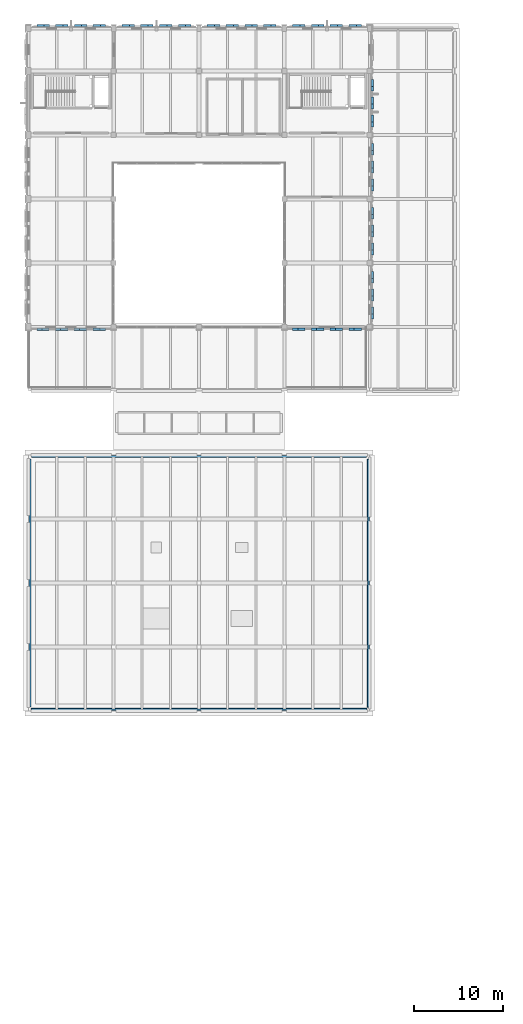
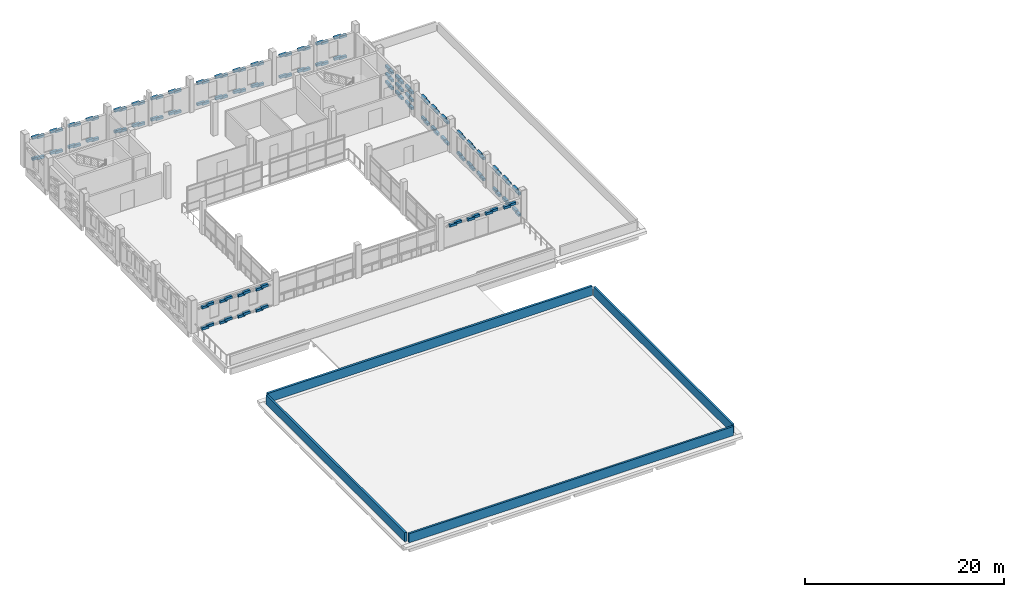
# One storey, part 34 of 50: 142 plates, 4 walls.
"""IFC4 building model written with IfcOpenShell, lengths in metres."""

import ifcopenshell
import ifcopenshell.guid

model = None  # the IFC model being written
_history = None  # IfcOwnerHistory: only IFC2X3 demands one
_inside = {}  # id of a spatial element -> (the spatial element, [elements in it])
_under = {}  # id of a project, library or spatial element -> (it, [spatial elements below it])
_declared = {}  # id of a project -> (the project, [libraries it declares])
_typed = {}  # id of a type object -> (the type object, [elements of that type])
_made_of = {}  # id of a material, layer set ... -> (it, [elements and type objects made of it])


def new_model(schema):
    """Start an empty IFC model of exactly this schema.

    Asked for "IFC4X3", IfcOpenShell would pick the latest addendum, in which some entities
    have other attributes; the version numbers below select the first issue.
    IFC2X3 requires an IfcOwnerHistory on every rooted entity: one is made here for all.
    """
    global model, _history
    if schema == "IFC4X3":
        model = ifcopenshell.file(schema_version=(4, 3, 0, 0))
    else:
        model = ifcopenshell.file(schema=schema)
    _inside.clear()
    _under.clear()
    _declared.clear()
    _typed.clear()
    _made_of.clear()
    _history = None
    if model.schema == "IFC2X3":
        org = make("IfcOrganization", Name="unknown")
        user = make(
            "IfcPersonAndOrganization",
            ThePerson=make("IfcPerson", FamilyName="unknown"),
            TheOrganization=org,
        )
        app = make(
            "IfcApplication",
            ApplicationDeveloper=org,
            Version="unknown",
            ApplicationFullName="unknown",
            ApplicationIdentifier="unknown",
        )
        _history = make(
            "IfcOwnerHistory",
            OwningUser=user,
            OwningApplication=app,
            ChangeAction="ADDED",
            CreationDate=0,
        )
    return model


def make(cls, **values):
    """One entity of the class cls with the attributes given. An attribute that is None is left unset."""
    return model.create_entity(
        cls, **{name: value for name, value in values.items() if value is not None}
    )


def rooted(cls, **values):
    """An entity with a GlobalId (a new one), such as an element, a storey or a relation."""
    return make(cls, GlobalId=ifcopenshell.guid.new(), OwnerHistory=_history, **values)


def si_unit(unit_type, name, prefix=None):
    """IfcSIUnit, for example si_unit("LENGTHUNIT", "METRE", prefix="MILLI")."""
    return make("IfcSIUnit", UnitType=unit_type, Prefix=prefix, Name=name)


def assignment(units):
    """IfcUnitAssignment: the units of a project."""
    return None if units is None else make("IfcUnitAssignment", Units=units)


def point(xyz):
    """IfcCartesianPoint."""
    return None if xyz is None else make("IfcCartesianPoint", Coordinates=xyz)


def direction(xyz):
    """IfcDirection."""
    return None if xyz is None else make("IfcDirection", DirectionRatios=xyz)


def frame(location, z_axis=None, x_axis=None):
    """IfcAxis2Placement3D, a coordinate frame: its origin and axes. An axis left out is left unset."""
    return make(
        "IfcAxis2Placement3D",
        Location=point(location),
        Axis=direction(z_axis),
        RefDirection=direction(x_axis),
    )


def frame_2d(location, x_axis=None):
    """IfcAxis2Placement2D, a coordinate frame in the plane: its origin and x axis."""
    return make(
        "IfcAxis2Placement2D", Location=point(location), RefDirection=direction(x_axis)
    )


def origin():
    """The frame at (0, 0, 0) with its axes left unset."""
    return frame((0.0, 0.0, 0.0))


def origin_2d():
    """The frame at (0, 0) in the plane with its x axis left unset."""
    return frame_2d((0.0, 0.0))


def place(relative_to, where):
    """IfcLocalPlacement: puts the frame where relative to a parent placement (None: the world)."""
    return make(
        "IfcLocalPlacement", PlacementRelTo=relative_to, RelativePlacement=where
    )


def context(
    kind, dimensions, precision=None, world=None, true_north=None, identifier=None
):
    """IfcGeometricRepresentationContext, for example the 3D "Model" context."""
    return make(
        "IfcGeometricRepresentationContext",
        ContextIdentifier=identifier,
        ContextType=kind,
        CoordinateSpaceDimension=dimensions,
        Precision=precision,
        WorldCoordinateSystem=world,
        TrueNorth=true_north,
    )


def subcontext(parent, identifier, kind, view, scale=None):
    """IfcGeometricRepresentationSubContext, for example "Body" below "Model"."""
    return make(
        "IfcGeometricRepresentationSubContext",
        ContextIdentifier=identifier,
        ContextType=kind,
        ParentContext=parent,
        TargetScale=scale,
        TargetView=view,
    )


def project(units=None, contexts=None):
    """IfcProject with its units and contexts."""
    return rooted(
        "IfcProject",
        Name="project",
        RepresentationContexts=contexts,
        UnitsInContext=assignment(units),
    )


def spatial(cls, under=None, at=None, **own):
    """A site, building, storey or space (cls), placed at a placement, below another one or the project."""
    s = rooted(cls, ObjectPlacement=at, **own)
    if under is not None:
        _under.setdefault(under.id(), (under, []))[1].append(s)
    return s


def profile(cls, at=None, kind="AREA", **sizes):
    """A parametric profile (cls). Its sizes go by their IFC names, for example OverallWidth=200.0."""
    return make(cls, ProfileType=kind, Position=at, **sizes)


def rectangle(**sizes):
    """IfcRectangleProfileDef."""
    return profile("IfcRectangleProfileDef", **sizes)


def extrude(swept, where, along, depth):
    """IfcExtrudedAreaSolid: the profile swept, set in the frame where, extruded along a direction by depth."""
    return make(
        "IfcExtrudedAreaSolid",
        SweptArea=swept,
        Position=where,
        ExtrudedDirection=direction(along),
        Depth=depth,
    )


def shape(context_of_items, identifier, shape_type, items):
    """IfcShapeRepresentation: the items that make up one representation, for example the "Body"."""
    return make(
        "IfcShapeRepresentation",
        ContextOfItems=context_of_items,
        RepresentationIdentifier=identifier,
        RepresentationType=shape_type,
        Items=items,
    )


def material(Name=None, Category=None):
    """IfcMaterial."""
    return make("IfcMaterial", Name=Name, Category=Category)


def layer(
    of_material, thickness, ventilated=None, Name=None, Category=None, Priority=None
):
    """IfcMaterialLayer: one layer of a wall or slab, of a material (None: an air gap)."""
    return make(
        "IfcMaterialLayer",
        Material=of_material,
        LayerThickness=thickness,
        IsVentilated=ventilated,
        Name=Name,
        Category=Category,
        Priority=Priority,
    )


def layer_set(layers, Name=None):
    """IfcMaterialLayerSet."""
    return make("IfcMaterialLayerSet", MaterialLayers=layers, LayerSetName=Name)


def made_of(thing, what):
    """Note that an element or type object is made of a material, layer set ...; save() writes the relation."""
    if what is not None:
        _made_of.setdefault(what.id(), (what, []))[1].append(thing)
    return thing


def type_object(cls, material=None, **own):
    """A type object (cls), such as IfcWallType, which elements share."""
    return made_of(rooted(cls, **own), material)


def element(
    cls,
    number,
    at=None,
    inside=None,
    cuts=None,
    type_object=None,
    material=None,
    context=None,
    identifier="Body",
    shape_type=None,
    held_by="IfcProductDefinitionShape",
    body=None,
    shapes=None,
    **own,
):
    """One element of the class cls, such as IfcWall. Its Tag is "e" and its number.

    at: its placement. inside: the storey or other place that contains it. cuts: it is an
    opening in that element (IfcRelVoidsElement). A single representation is given by context,
    identifier, shape_type and body (its items); several are given by shapes. held_by: the class
    of the entity that holds the representations. save() writes the other relations.
    """
    e = rooted(cls, Tag="e%d" % number, ObjectPlacement=at, **own)
    if body is not None:
        shapes = [shape(context, identifier, shape_type, body)]
    if shapes is not None:
        e.Representation = make(held_by, Representations=shapes)
    if inside is not None:
        _inside.setdefault(inside.id(), (inside, []))[1].append(e)
    if cuts is not None:
        rooted(
            "IfcRelVoidsElement", RelatingBuildingElement=cuts, RelatedOpeningElement=e
        )
    if type_object is not None:
        _typed.setdefault(type_object.id(), (type_object, []))[1].append(e)
    return made_of(e, material)


def aggregate(whole, parts):
    """IfcRelAggregates: a whole, such as a stair, and the parts it consists of."""
    return rooted("IfcRelAggregates", RelatingObject=whole, RelatedObjects=parts)


def save(model, path):
    """Write the relations noted so far, then the file.

    IfcRelAggregates (storeys below a building ...), IfcRelContainedInSpatialStructure (elements
    in a storey), IfcRelDefinesByType, IfcRelAssociatesMaterial and IfcRelDeclares: one each for
    every whole, place, type object, material and project.
    """
    for whole, parts in _under.values():
        aggregate(whole, parts)
    for where, things in _inside.values():
        rooted(
            "IfcRelContainedInSpatialStructure",
            RelatedElements=things,
            RelatingStructure=where,
        )
    for kind, things in _typed.values():
        rooted("IfcRelDefinesByType", RelatedObjects=things, RelatingType=kind)
    for what, things in _made_of.values():
        rooted("IfcRelAssociatesMaterial", RelatedObjects=things, RelatingMaterial=what)
    for by, libraries in _declared.values():
        rooted("IfcRelDeclares", RelatingContext=by, RelatedDefinitions=libraries)
    model.write(path)


model = new_model("IFC4")

# Units and contexts
model_context = context("Model", 3, precision=1e-05, world=origin(), true_north=direction((0.0, 1.0)))
body_context = subcontext(model_context, "Body", "Model", "MODEL_VIEW")
ifc_project = project(units=[si_unit("LENGTHUNIT", "METRE"), si_unit("AREAUNIT", "SQUARE_METRE"), si_unit("VOLUMEUNIT", "CUBIC_METRE"), si_unit("PLANEANGLEUNIT", "RADIAN"), si_unit("MASSUNIT", "GRAM", prefix="KILO")], contexts=[model_context])

# Site, building, storey
site_placement = place(None, origin())
site = spatial("IfcSite", under=ifc_project, at=site_placement, CompositionType="ELEMENT")
building_placement = place(site_placement, origin())
building = spatial("IfcBuilding", under=site, at=building_placement, Name="Asteropetra Specialist Clinic", CompositionType="ELEMENT")
storey_placement = place(building_placement, frame((0.0, 0.0, 16.659912109375)))
storey = spatial("IfcBuildingStorey", under=building, at=storey_placement, Name="L04", CompositionType="ELEMENT", Elevation=16.659912109375)

# Plates
ifc_material_1 = material(Name="Aluminium 6063-T6", Category="aluminium")
ifc_layer_1 = layer(ifc_material_1, 0.139892578125)
ifc_layer_set_1 = layer_set([ifc_layer_1], Name="Aluminium 6063-T6")
plate_type = type_object("IfcPlateType", Name="PLT-CHV-TILE", PredefinedType="SHEET", material=ifc_layer_set_1)
for number, where, z_axis, x_axis, name in (
    (1, (1.357421875, 76.52490234375, -0.00048828125), (0.0, 0.0, 1.0), (1.0, 0.0, 0.0), "Chevron Ceramic Panel CPT-1167"),
    (2, (1.93505859375, 76.52490234375, 0.12548828125), (0.0, 0.0, 1.0), (1.0, 0.0, 0.0), "Chevron Ceramic Panel CPT-1168"),
    (3, (1.357421875, 76.52490234375, 2.58935546875), (0.0, 0.0, 1.0), (1.0, 0.0, 0.0), "Chevron Ceramic Panel CPT-1169"),
    (4, (1.93505859375, 76.52490234375, 2.71533203125), (0.0, 0.0, 1.0), (1.0, 0.0, 0.0), "Chevron Ceramic Panel CPT-1170"),
    (5, (3.4599609375, 76.52490234375, -0.00048828125), (0.0, 0.0, 1.0), (1.0, 0.0, 0.0), "Chevron Ceramic Panel CPT-1171"),
    (6, (4.03759765625, 76.52490234375, 0.12548828125), (0.0, 0.0, 1.0), (1.0, 0.0, 0.0), "Chevron Ceramic Panel CPT-1172"),
    (7, (3.4599609375, 76.52490234375, 2.58935546875), (0.0, 0.0, 1.0), (1.0, 0.0, 0.0), "Chevron Ceramic Panel CPT-1173"),
    (8, (4.03759765625, 76.52490234375, 2.71533203125), (0.0, 0.0, 1.0), (1.0, 0.0, 0.0), "Chevron Ceramic Panel CPT-1174"),
    (9, (5.5625, 76.52490234375, -0.00048828125), (0.0, 0.0, 1.0), (1.0, 0.0, 0.0), "Chevron Ceramic Panel CPT-1175"),
    (10, (6.139892578125, 76.52490234375, 0.12548828125), (0.0, 0.0, 1.0), (1.0, 0.0, 0.0), "Chevron Ceramic Panel CPT-1176"),
    (11, (5.5625, 76.52490234375, 2.58935546875), (0.0, 0.0, 1.0), (1.0, 0.0, 0.0), "Chevron Ceramic Panel CPT-1177"),
    (12, (6.139892578125, 76.52490234375, 2.71533203125), (0.0, 0.0, 1.0), (1.0, 0.0, 0.0), "Chevron Ceramic Panel CPT-1178"),
    (13, (7.6650390625, 76.52490234375, -0.00048828125), (0.0, 0.0, 1.0), (1.0, 0.0, 0.0), "Chevron Ceramic Panel CPT-1179"),
    (14, (8.242431640625, 76.52490234375, 0.12548828125), (0.0, 0.0, 1.0), (1.0, 0.0, 0.0), "Chevron Ceramic Panel CPT-1180"),
    (15, (7.6650390625, 76.52490234375, 2.58935546875), (0.0, 0.0, 1.0), (1.0, 0.0, 0.0), "Chevron Ceramic Panel CPT-1181"),
    (16, (8.242431640625, 76.52490234375, 2.71533203125), (0.0, 0.0, 1.0), (1.0, 0.0, 0.0), "Chevron Ceramic Panel CPT-1182"),
):
    element("IfcPlate", number, at=place(storey_placement, frame(where, z_axis=z_axis, x_axis=x_axis)), inside=storey, type_object=plate_type, Name=name, PredefinedType="SHEET", context=body_context, shape_type="SweptSolid", body=[
        extrude(rectangle(XDim=0.824951171875, YDim=0.280029296875, at=origin_2d()), origin(), (0.0, 0.0, 1.0), 0.300048828125),
    ])
for number, where, z_axis, x_axis, name in (
    (17, (8.26513671875, 110.675048828125, 0.0), (0.0, 0.0, 1.0), (1.0, 0.0, 0.0), "Chevron Ceramic Panel CPT-1183"),
    (18, (7.68603515625, 110.675048828125, 0.1259765625), (0.0, 0.0, 1.0), (1.0, 0.0, 0.0), "Chevron Ceramic Panel CPT-1184"),
    (19, (8.26513671875, 110.675048828125, 2.58984375), (0.0, 0.0, 1.0), (1.0, 0.0, 0.0), "Chevron Ceramic Panel CPT-1185"),
    (20, (7.68603515625, 110.675048828125, 2.7158203125), (0.0, 0.0, 1.0), (1.0, 0.0, 0.0), "Chevron Ceramic Panel CPT-1186"),
):
    element("IfcPlate", number, at=place(storey_placement, frame(where, z_axis=z_axis, x_axis=x_axis)), inside=storey, type_object=plate_type, Name=name, PredefinedType="SHEET", context=body_context, shape_type="SweptSolid", body=[
        extrude(rectangle(XDim=0.826904296875, YDim=0.280029296875, at=origin_2d()), origin(), (0.0, 0.0, 1.0), 0.300048828125),
    ])
for number, where, z_axis, x_axis, name in (
    (21, (6.156494140625, 110.675048828125, 0.0), (0.0, 0.0, 1.0), (1.0, 0.0, 0.0), "Chevron Ceramic Panel CPT-1187"),
    (22, (5.577392578125, 110.675048828125, 0.1259765625), (0.0, 0.0, 1.0), (1.0, 0.0, 0.0), "Chevron Ceramic Panel CPT-1188"),
    (23, (6.156494140625, 110.675048828125, 2.58984375), (0.0, 0.0, 1.0), (1.0, 0.0, 0.0), "Chevron Ceramic Panel CPT-1189"),
    (24, (5.577392578125, 110.675048828125, 2.7158203125), (0.0, 0.0, 1.0), (1.0, 0.0, 0.0), "Chevron Ceramic Panel CPT-1190"),
    (25, (4.0478515625, 110.675048828125, 0.0), (0.0, 0.0, 1.0), (1.0, 0.0, 0.0), "Chevron Ceramic Panel CPT-1191"),
    (26, (3.468505859375, 110.675048828125, 0.1259765625), (0.0, 0.0, 1.0), (1.0, 0.0, 0.0), "Chevron Ceramic Panel CPT-1192"),
    (27, (4.0478515625, 110.675048828125, 2.58984375), (0.0, 0.0, 1.0), (1.0, 0.0, 0.0), "Chevron Ceramic Panel CPT-1193"),
    (28, (3.468505859375, 110.675048828125, 2.7158203125), (0.0, 0.0, 1.0), (1.0, 0.0, 0.0), "Chevron Ceramic Panel CPT-1194"),
    (29, (1.93896484375, 110.675048828125, 0.0), (0.0, 0.0, 1.0), (1.0, 0.0, 0.0), "Chevron Ceramic Panel CPT-1195"),
    (30, (1.35986328125, 110.675048828125, 0.1259765625), (0.0, 0.0, 1.0), (1.0, 0.0, 0.0), "Chevron Ceramic Panel CPT-1196"),
    (31, (1.93896484375, 110.675048828125, 2.58984375), (0.0, 0.0, 1.0), (1.0, 0.0, 0.0), "Chevron Ceramic Panel CPT-1197"),
    (32, (1.35986328125, 110.675048828125, 2.7158203125), (0.0, 0.0, 1.0), (1.0, 0.0, 0.0), "Chevron Ceramic Panel CPT-1198"),
):
    element("IfcPlate", number, at=place(storey_placement, frame(where, z_axis=z_axis, x_axis=x_axis)), inside=storey, type_object=plate_type, Name=name, PredefinedType="SHEET", context=body_context, shape_type="SweptSolid", body=[
        extrude(rectangle(XDim=0.827880859375, YDim=0.280029296875, at=origin_2d()), origin(), (0.0, 0.0, 1.0), 0.300048828125),
    ])
for number, where, z_axis, x_axis, name in (
    (33, (17.863037109375, 110.675048828125, 0.0), (0.0, 0.0, 1.0), (1.0, 0.0, 0.0), "Chevron Ceramic Panel CPT-1199"),
    (34, (17.281982421875, 110.675048828125, 0.126953125), (0.0, 0.0, 1.0), (1.0, 0.0, 0.0), "Chevron Ceramic Panel CPT-1200"),
    (35, (17.863037109375, 110.675048828125, 2.58984375), (0.0, 0.0, 1.0), (1.0, 0.0, 0.0), "Chevron Ceramic Panel CPT-1201"),
    (36, (17.281982421875, 110.675048828125, 2.716796875), (0.0, 0.0, 1.0), (1.0, 0.0, 0.0), "Chevron Ceramic Panel CPT-1202"),
    (37, (15.748046875, 110.675048828125, 0.0), (0.0, 0.0, 1.0), (1.0, 0.0, 0.0), "Chevron Ceramic Panel CPT-1203"),
    (38, (15.1669921875, 110.675048828125, 0.126953125), (0.0, 0.0, 1.0), (1.0, 0.0, 0.0), "Chevron Ceramic Panel CPT-1204"),
    (39, (15.748046875, 110.675048828125, 2.58984375), (0.0, 0.0, 1.0), (1.0, 0.0, 0.0), "Chevron Ceramic Panel CPT-1205"),
    (40, (15.1669921875, 110.675048828125, 2.716796875), (0.0, 0.0, 1.0), (1.0, 0.0, 0.0), "Chevron Ceramic Panel CPT-1206"),
    (41, (13.633056640625, 110.675048828125, 0.0), (0.0, 0.0, 1.0), (1.0, 0.0, 0.0), "Chevron Ceramic Panel CPT-1207"),
    (42, (13.052001953125, 110.675048828125, 0.126953125), (0.0, 0.0, 1.0), (1.0, 0.0, 0.0), "Chevron Ceramic Panel CPT-1208"),
    (43, (13.633056640625, 110.675048828125, 2.58984375), (0.0, 0.0, 1.0), (1.0, 0.0, 0.0), "Chevron Ceramic Panel CPT-1209"),
    (44, (13.052001953125, 110.675048828125, 2.716796875), (0.0, 0.0, 1.0), (1.0, 0.0, 0.0), "Chevron Ceramic Panel CPT-1210"),
    (45, (11.51806640625, 110.675048828125, 0.0), (0.0, 0.0, 1.0), (1.0, 0.0, 0.0), "Chevron Ceramic Panel CPT-1211"),
    (46, (10.93701171875, 110.675048828125, 0.126953125), (0.0, 0.0, 1.0), (1.0, 0.0, 0.0), "Chevron Ceramic Panel CPT-1212"),
    (47, (11.51806640625, 110.675048828125, 2.58984375), (0.0, 0.0, 1.0), (1.0, 0.0, 0.0), "Chevron Ceramic Panel CPT-1213"),
    (48, (10.93701171875, 110.675048828125, 2.716796875), (0.0, 0.0, 1.0), (1.0, 0.0, 0.0), "Chevron Ceramic Panel CPT-1214"),
    (49, (27.462890625, 110.675048828125, 0.0), (0.0, 0.0, 1.0), (1.0, 0.0, 0.0), "Chevron Ceramic Panel CPT-1215"),
    (50, (26.882080078125, 110.675048828125, 0.126953125), (0.0, 0.0, 1.0), (1.0, 0.0, 0.0), "Chevron Ceramic Panel CPT-1216"),
    (51, (27.462890625, 110.675048828125, 2.58984375), (0.0, 0.0, 1.0), (1.0, 0.0, 0.0), "Chevron Ceramic Panel CPT-1217"),
    (52, (26.882080078125, 110.675048828125, 2.716796875), (0.0, 0.0, 1.0), (1.0, 0.0, 0.0), "Chevron Ceramic Panel CPT-1218"),
    (53, (25.347900390625, 110.675048828125, 0.0), (0.0, 0.0, 1.0), (1.0, 0.0, 0.0), "Chevron Ceramic Panel CPT-1219"),
    (54, (24.76708984375, 110.675048828125, 0.126953125), (0.0, 0.0, 1.0), (1.0, 0.0, 0.0), "Chevron Ceramic Panel CPT-1220"),
    (55, (25.347900390625, 110.675048828125, 2.58984375), (0.0, 0.0, 1.0), (1.0, 0.0, 0.0), "Chevron Ceramic Panel CPT-1221"),
    (56, (24.76708984375, 110.675048828125, 2.716796875), (0.0, 0.0, 1.0), (1.0, 0.0, 0.0), "Chevron Ceramic Panel CPT-1222"),
    (57, (23.23291015625, 110.675048828125, 0.0), (0.0, 0.0, 1.0), (1.0, 0.0, 0.0), "Chevron Ceramic Panel CPT-1223"),
    (58, (22.652099609375, 110.675048828125, 0.126953125), (0.0, 0.0, 1.0), (1.0, 0.0, 0.0), "Chevron Ceramic Panel CPT-1224"),
    (59, (23.23291015625, 110.675048828125, 2.58984375), (0.0, 0.0, 1.0), (1.0, 0.0, 0.0), "Chevron Ceramic Panel CPT-1225"),
    (60, (22.652099609375, 110.675048828125, 2.716796875), (0.0, 0.0, 1.0), (1.0, 0.0, 0.0), "Chevron Ceramic Panel CPT-1226"),
    (61, (21.117919921875, 110.675048828125, 0.0), (0.0, 0.0, 1.0), (1.0, 0.0, 0.0), "Chevron Ceramic Panel CPT-1227"),
    (62, (20.537109375, 110.675048828125, 0.126953125), (0.0, 0.0, 1.0), (1.0, 0.0, 0.0), "Chevron Ceramic Panel CPT-1228"),
    (63, (21.117919921875, 110.675048828125, 2.58984375), (0.0, 0.0, 1.0), (1.0, 0.0, 0.0), "Chevron Ceramic Panel CPT-1229"),
    (64, (20.537109375, 110.675048828125, 2.716796875), (0.0, 0.0, 1.0), (1.0, 0.0, 0.0), "Chevron Ceramic Panel CPT-1230"),
):
    element("IfcPlate", number, at=place(storey_placement, frame(where, z_axis=z_axis, x_axis=x_axis)), inside=storey, type_object=plate_type, Name=name, PredefinedType="SHEET", context=body_context, shape_type="SweptSolid", body=[
        extrude(rectangle(XDim=0.830078125, YDim=0.280029296875, at=origin_2d()), origin(), (0.0, 0.0, 1.0), 0.300048828125),
    ])
for number, where, z_axis, x_axis, name in (
    (65, (30.157470703125, 76.52490234375, 2.5693359375), (0.0, 0.0, 1.0), (1.0, 0.0, 0.0), "Chevron Ceramic Panel CPT-1231"),
    (66, (30.735107421875, 76.52490234375, 2.6953125), (0.0, 0.0, 1.0), (1.0, 0.0, 0.0), "Chevron Ceramic Panel CPT-1232"),
    (67, (32.260009765625, 76.52490234375, 2.5693359375), (0.0, 0.0, 1.0), (1.0, 0.0, 0.0), "Chevron Ceramic Panel CPT-1233"),
    (68, (32.83740234375, 76.52490234375, 2.6953125), (0.0, 0.0, 1.0), (1.0, 0.0, 0.0), "Chevron Ceramic Panel CPT-1234"),
    (69, (34.362548828125, 76.52490234375, 2.5693359375), (0.0, 0.0, 1.0), (1.0, 0.0, 0.0), "Chevron Ceramic Panel CPT-1235"),
    (70, (34.93994140625, 76.52490234375, 2.6953125), (0.0, 0.0, 1.0), (1.0, 0.0, 0.0), "Chevron Ceramic Panel CPT-1236"),
    (71, (36.465087890625, 76.52490234375, 2.5693359375), (0.0, 0.0, 1.0), (1.0, 0.0, 0.0), "Chevron Ceramic Panel CPT-1237"),
    (72, (37.04248046875, 76.52490234375, 2.6953125), (0.0, 0.0, 1.0), (1.0, 0.0, 0.0), "Chevron Ceramic Panel CPT-1238"),
):
    element("IfcPlate", number, at=place(storey_placement, frame(where, z_axis=z_axis, x_axis=x_axis)), inside=storey, type_object=plate_type, Name=name, PredefinedType="SHEET", context=body_context, shape_type="SweptSolid", body=[
        extrude(rectangle(XDim=0.824951171875, YDim=0.280029296875, at=origin_2d()), origin(), (0.0, 0.0, 1.0), 0.300048828125),
    ])
for number, where, z_axis, x_axis, name in (
    (73, (37.06298828125, 110.675048828125, 0.0), (0.0, 0.0, 1.0), (1.0, 0.0, 0.0), "Chevron Ceramic Panel CPT-1239"),
    (74, (36.48193359375, 110.675048828125, 0.126953125), (0.0, 0.0, 1.0), (1.0, 0.0, 0.0), "Chevron Ceramic Panel CPT-1240"),
    (75, (37.06298828125, 110.675048828125, 2.58984375), (0.0, 0.0, 1.0), (1.0, 0.0, 0.0), "Chevron Ceramic Panel CPT-1241"),
    (76, (36.48193359375, 110.675048828125, 2.716796875), (0.0, 0.0, 1.0), (1.0, 0.0, 0.0), "Chevron Ceramic Panel CPT-1242"),
    (77, (34.947998046875, 110.675048828125, 0.0), (0.0, 0.0, 1.0), (1.0, 0.0, 0.0), "Chevron Ceramic Panel CPT-1243"),
    (78, (34.366943359375, 110.675048828125, 0.126953125), (0.0, 0.0, 1.0), (1.0, 0.0, 0.0), "Chevron Ceramic Panel CPT-1244"),
    (79, (34.947998046875, 110.675048828125, 2.58984375), (0.0, 0.0, 1.0), (1.0, 0.0, 0.0), "Chevron Ceramic Panel CPT-1245"),
    (80, (34.366943359375, 110.675048828125, 2.716796875), (0.0, 0.0, 1.0), (1.0, 0.0, 0.0), "Chevron Ceramic Panel CPT-1246"),
    (81, (32.8330078125, 110.675048828125, 0.0), (0.0, 0.0, 1.0), (1.0, 0.0, 0.0), "Chevron Ceramic Panel CPT-1247"),
    (82, (32.251953125, 110.675048828125, 0.126953125), (0.0, 0.0, 1.0), (1.0, 0.0, 0.0), "Chevron Ceramic Panel CPT-1248"),
    (83, (32.8330078125, 110.675048828125, 2.58984375), (0.0, 0.0, 1.0), (1.0, 0.0, 0.0), "Chevron Ceramic Panel CPT-1249"),
    (84, (32.251953125, 110.675048828125, 2.716796875), (0.0, 0.0, 1.0), (1.0, 0.0, 0.0), "Chevron Ceramic Panel CPT-1250"),
    (85, (30.718017578125, 110.675048828125, 0.0), (0.0, 0.0, 1.0), (1.0, 0.0, 0.0), "Chevron Ceramic Panel CPT-1251"),
    (86, (30.136962890625, 110.675048828125, 0.126953125), (0.0, 0.0, 1.0), (1.0, 0.0, 0.0), "Chevron Ceramic Panel CPT-1252"),
    (87, (30.718017578125, 110.675048828125, 2.58984375), (0.0, 0.0, 1.0), (1.0, 0.0, 0.0), "Chevron Ceramic Panel CPT-1253"),
    (88, (30.136962890625, 110.675048828125, 2.716796875), (0.0, 0.0, 1.0), (1.0, 0.0, 0.0), "Chevron Ceramic Panel CPT-1254"),
):
    element("IfcPlate", number, at=place(storey_placement, frame(where, z_axis=z_axis, x_axis=x_axis)), inside=storey, type_object=plate_type, Name=name, PredefinedType="SHEET", context=body_context, shape_type="SweptSolid", body=[
        extrude(rectangle(XDim=0.830078125, YDim=0.280029296875, at=origin_2d()), origin(), (0.0, 0.0, 1.0), 0.300048828125),
    ])
for number, where, z_axis, x_axis, name in (
    (89, (38.675048828125, 78.121826171875, -0.00537109375), (0.0, 0.0, 1.0), (1.0, 0.0, 0.0), "Chevron Ceramic Panel CPT-1263"),
    (90, (38.675048828125, 78.67138671875, 0.11474609375), (0.0, 0.0, 1.0), (1.0, 0.0, 0.0), "Chevron Ceramic Panel CPT-1264"),
    (91, (38.675048828125, 78.121826171875, 2.5849609375), (0.0, 0.0, 1.0), (1.0, 0.0, 0.0), "Chevron Ceramic Panel CPT-1265"),
    (92, (38.675048828125, 78.67138671875, 2.70458984375), (0.0, 0.0, 1.0), (1.0, 0.0, 0.0), "Chevron Ceramic Panel CPT-1266"),
    (93, (38.675048828125, 80.125, -0.00537109375), (0.0, 0.0, 1.0), (1.0, 0.0, 0.0), "Chevron Ceramic Panel CPT-1267"),
    (94, (38.675048828125, 80.6748046875, 0.11474609375), (0.0, 0.0, 1.0), (1.0, 0.0, 0.0), "Chevron Ceramic Panel CPT-1268"),
    (95, (38.675048828125, 80.125, 2.5849609375), (0.0, 0.0, 1.0), (1.0, 0.0, 0.0), "Chevron Ceramic Panel CPT-1269"),
    (96, (38.675048828125, 80.6748046875, 2.70458984375), (0.0, 0.0, 1.0), (1.0, 0.0, 0.0), "Chevron Ceramic Panel CPT-1270"),
    (97, (38.675048828125, 82.12841796875, -0.00537109375), (0.0, 0.0, 1.0), (1.0, 0.0, 0.0), "Chevron Ceramic Panel CPT-1271"),
    (98, (38.675048828125, 82.67822265625, 0.11474609375), (0.0, 0.0, 1.0), (1.0, 0.0, 0.0), "Chevron Ceramic Panel CPT-1272"),
    (99, (38.675048828125, 82.12841796875, 2.5849609375), (0.0, 0.0, 1.0), (1.0, 0.0, 0.0), "Chevron Ceramic Panel CPT-1273"),
    (100, (38.675048828125, 82.67822265625, 2.70458984375), (0.0, 0.0, 1.0), (1.0, 0.0, 0.0), "Chevron Ceramic Panel CPT-1274"),
    (101, (38.675048828125, 85.32177734375, -0.00537109375), (0.0, 0.0, 1.0), (1.0, 0.0, 0.0), "Chevron Ceramic Panel CPT-1283"),
    (102, (38.675048828125, 85.87158203125, 0.11474609375), (0.0, 0.0, 1.0), (1.0, 0.0, 0.0), "Chevron Ceramic Panel CPT-1284"),
    (103, (38.675048828125, 85.32177734375, 2.5849609375), (0.0, 0.0, 1.0), (1.0, 0.0, 0.0), "Chevron Ceramic Panel CPT-1285"),
    (104, (38.675048828125, 85.87158203125, 2.70458984375), (0.0, 0.0, 1.0), (1.0, 0.0, 0.0), "Chevron Ceramic Panel CPT-1286"),
    (105, (38.675048828125, 87.3251953125, -0.00537109375), (0.0, 0.0, 1.0), (1.0, 0.0, 0.0), "Chevron Ceramic Panel CPT-1287"),
    (106, (38.675048828125, 87.875, 0.11474609375), (0.0, 0.0, 1.0), (1.0, 0.0, 0.0), "Chevron Ceramic Panel CPT-1288"),
    (107, (38.675048828125, 87.3251953125, 2.5849609375), (0.0, 0.0, 1.0), (1.0, 0.0, 0.0), "Chevron Ceramic Panel CPT-1289"),
    (108, (38.675048828125, 87.875, 2.70458984375), (0.0, 0.0, 1.0), (1.0, 0.0, 0.0), "Chevron Ceramic Panel CPT-1290"),
    (109, (38.675048828125, 89.32861328125, -0.00537109375), (0.0, 0.0, 1.0), (1.0, 0.0, 0.0), "Chevron Ceramic Panel CPT-1291"),
    (110, (38.675048828125, 89.878173828125, 0.11474609375), (0.0, 0.0, 1.0), (1.0, 0.0, 0.0), "Chevron Ceramic Panel CPT-1292"),
    (111, (38.675048828125, 89.32861328125, 2.5849609375), (0.0, 0.0, 1.0), (1.0, 0.0, 0.0), "Chevron Ceramic Panel CPT-1293"),
    (112, (38.675048828125, 89.878173828125, 2.70458984375), (0.0, 0.0, 1.0), (1.0, 0.0, 0.0), "Chevron Ceramic Panel CPT-1294"),
    (113, (38.675048828125, 92.521728515625, -0.00537109375), (0.0, 0.0, 1.0), (1.0, 0.0, 0.0), "Chevron Ceramic Panel CPT-1303"),
    (114, (38.675048828125, 93.071533203125, 0.11474609375), (0.0, 0.0, 1.0), (1.0, 0.0, 0.0), "Chevron Ceramic Panel CPT-1304"),
    (115, (38.675048828125, 92.521728515625, 2.5849609375), (0.0, 0.0, 1.0), (1.0, 0.0, 0.0), "Chevron Ceramic Panel CPT-1305"),
    (116, (38.675048828125, 93.071533203125, 2.70458984375), (0.0, 0.0, 1.0), (1.0, 0.0, 0.0), "Chevron Ceramic Panel CPT-1306"),
    (117, (38.675048828125, 94.525146484375, -0.00537109375), (0.0, 0.0, 1.0), (1.0, 0.0, 0.0), "Chevron Ceramic Panel CPT-1307"),
    (118, (38.675048828125, 95.074951171875, 0.11474609375), (0.0, 0.0, 1.0), (1.0, 0.0, 0.0), "Chevron Ceramic Panel CPT-1308"),
    (119, (38.675048828125, 94.525146484375, 2.5849609375), (0.0, 0.0, 1.0), (1.0, 0.0, 0.0), "Chevron Ceramic Panel CPT-1309"),
    (120, (38.675048828125, 95.074951171875, 2.70458984375), (0.0, 0.0, 1.0), (1.0, 0.0, 0.0), "Chevron Ceramic Panel CPT-1310"),
    (121, (38.675048828125, 96.528564453125, -0.00537109375), (0.0, 0.0, 1.0), (1.0, 0.0, 0.0), "Chevron Ceramic Panel CPT-1311"),
    (122, (38.675048828125, 97.078125, 0.11474609375), (0.0, 0.0, 1.0), (1.0, 0.0, 0.0), "Chevron Ceramic Panel CPT-1312"),
    (123, (38.675048828125, 96.528564453125, 2.5849609375), (0.0, 0.0, 1.0), (1.0, 0.0, 0.0), "Chevron Ceramic Panel CPT-1313"),
    (124, (38.675048828125, 97.078125, 2.70458984375), (0.0, 0.0, 1.0), (1.0, 0.0, 0.0), "Chevron Ceramic Panel CPT-1314"),
    (125, (38.675048828125, 99.7216796875, 0.0048828125), (0.0, 0.0, 1.0), (1.0, 0.0, 0.0), "Chevron Ceramic Panel CPT-1327"),
    (126, (38.675048828125, 100.271484375, 0.125), (0.0, 0.0, 1.0), (1.0, 0.0, 0.0), "Chevron Ceramic Panel CPT-1328"),
    (127, (38.675048828125, 99.7216796875, 0.96484375), (0.0, 0.0, 1.0), (1.0, 0.0, 0.0), "Chevron Ceramic Panel CPT-1329"),
    (128, (38.675048828125, 100.271484375, 1.0849609375), (0.0, 0.0, 1.0), (1.0, 0.0, 0.0), "Chevron Ceramic Panel CPT-1330"),
    (129, (38.675048828125, 99.7216796875, 1.9248046875), (0.0, 0.0, 1.0), (1.0, 0.0, 0.0), "Chevron Ceramic Panel CPT-1331"),
    (130, (38.675048828125, 100.271484375, 2.044921875), (0.0, 0.0, 1.0), (1.0, 0.0, 0.0), "Chevron Ceramic Panel CPT-1332"),
    (131, (38.675048828125, 101.72509765625, 0.0048828125), (0.0, 0.0, 1.0), (1.0, 0.0, 0.0), "Chevron Ceramic Panel CPT-1333"),
    (132, (38.675048828125, 102.27490234375, 0.125), (0.0, 0.0, 1.0), (1.0, 0.0, 0.0), "Chevron Ceramic Panel CPT-1334"),
    (133, (38.675048828125, 101.72509765625, 0.96484375), (0.0, 0.0, 1.0), (1.0, 0.0, 0.0), "Chevron Ceramic Panel CPT-1335"),
    (134, (38.675048828125, 102.27490234375, 1.0849609375), (0.0, 0.0, 1.0), (1.0, 0.0, 0.0), "Chevron Ceramic Panel CPT-1336"),
    (135, (38.675048828125, 101.72509765625, 1.9248046875), (0.0, 0.0, 1.0), (1.0, 0.0, 0.0), "Chevron Ceramic Panel CPT-1337"),
    (136, (38.675048828125, 102.27490234375, 2.044921875), (0.0, 0.0, 1.0), (1.0, 0.0, 0.0), "Chevron Ceramic Panel CPT-1338"),
    (137, (38.675048828125, 103.728515625, 0.0048828125), (0.0, 0.0, 1.0), (1.0, 0.0, 0.0), "Chevron Ceramic Panel CPT-1339"),
    (138, (38.675048828125, 104.2783203125, 0.125), (0.0, 0.0, 1.0), (1.0, 0.0, 0.0), "Chevron Ceramic Panel CPT-1340"),
    (139, (38.675048828125, 103.728515625, 0.96484375), (0.0, 0.0, 1.0), (1.0, 0.0, 0.0), "Chevron Ceramic Panel CPT-1341"),
    (140, (38.675048828125, 104.2783203125, 1.0849609375), (0.0, 0.0, 1.0), (1.0, 0.0, 0.0), "Chevron Ceramic Panel CPT-1342"),
    (141, (38.675048828125, 103.728515625, 1.9248046875), (0.0, 0.0, 1.0), (1.0, 0.0, 0.0), "Chevron Ceramic Panel CPT-1343"),
    (142, (38.675048828125, 104.2783203125, 2.044921875), (0.0, 0.0, 1.0), (1.0, 0.0, 0.0), "Chevron Ceramic Panel CPT-1344"),
):
    element("IfcPlate", number, at=place(storey_placement, frame(where, z_axis=z_axis, x_axis=x_axis)), inside=storey, type_object=plate_type, Name=name, PredefinedType="SHEET", context=body_context, shape_type="SweptSolid", body=[
        extrude(rectangle(XDim=0.280029296875, YDim=0.784912109375, at=origin_2d()), origin(), (0.0, 0.0, 1.0), 0.300048828125),
    ])

# Walls
ifc_material_2 = material(Name="Piraeus poros limestone", Category="masonry")
ifc_layer_2 = layer(ifc_material_2, 0.219970703125)
ifc_layer_set_2 = layer_set([ifc_layer_2], Name="Piraeus poros limestone")
wall_type_1 = type_object("IfcWallType", Name="EW-PARAPET-220", PredefinedType="PARAPET", material=ifc_layer_set_2)
wall_1_placement = place(storey_placement, frame((0.35009765625, 33.780029296875, 0.0), z_axis=(0.0, 0.0, 1.0), x_axis=(1.0, 0.0, 0.0)))
element("IfcWall", 143, at=wall_1_placement, inside=storey, type_object=wall_type_1, Name="Roof Parapet WP-10", PredefinedType="PARAPET", context=body_context, shape_type="SweptSolid", body=[
    extrude(rectangle(XDim=37.699951171875, YDim=0.219970703125, at=frame_2d((18.85009765625, 0.0))), origin(), (0.0, 0.0, 1.0), 1.1201171875),
])
wall_2_placement = place(storey_placement, frame((38.219970703125, 34.050048828125, 0.0), z_axis=(0.0, 0.0, 1.0), x_axis=(0.0, 1.0, 0.0)))
element("IfcWall", 144, at=wall_2_placement, inside=storey, type_object=wall_type_1, Name="Roof Parapet WP-12", PredefinedType="PARAPET", context=body_context, shape_type="SweptSolid", body=[
    extrude(rectangle(XDim=27.89990234375, YDim=0.219970703125, at=frame_2d((13.949951171875, 0.0))), origin(), (0.0, 0.0, 1.0), 1.1201171875),
])
ifc_material_3 = material(Name="Pentelic marble ashlar", Category="masonry")
ifc_layer_3 = layer(ifc_material_3, 0.25)
ifc_layer_set_3 = layer_set([ifc_layer_3], Name="Pentelic marble ashlar")
wall_type_2 = type_object("IfcWallType", Name="EW-PARAPET-250", PredefinedType="PARAPET", material=ifc_layer_set_3)
wall_3_placement = place(storey_placement, frame((0.35009765625, 62.219970703125, 0.0), z_axis=(0.0, 0.0, 1.0), x_axis=(1.0, 0.0, 0.0)))
element("IfcWall", 145, at=wall_3_placement, inside=storey, type_object=wall_type_2, Name="Roof Parapet WP-09", PredefinedType="PARAPET", context=body_context, shape_type="SweptSolid", body=[
    extrude(rectangle(XDim=37.699951171875, YDim=0.25, at=frame_2d((18.85009765625, 0.0))), origin(), (0.0, 0.0, 1.0), 1.1201171875),
])
wall_4_placement = place(storey_placement, frame((0.179931640625, 34.050048828125, 0.0), z_axis=(0.0, 0.0, 1.0), x_axis=(0.0, 1.0, 0.0)))
element("IfcWall", 146, at=wall_4_placement, inside=storey, type_object=wall_type_2, Name="Roof Parapet WP-11", PredefinedType="PARAPET", context=body_context, shape_type="SweptSolid", body=[
    extrude(rectangle(XDim=27.89990234375, YDim=0.25, at=frame_2d((13.949951171875, 0.0))), origin(), (0.0, 0.0, 1.0), 1.1201171875),
])

save(model, "model.ifc")
